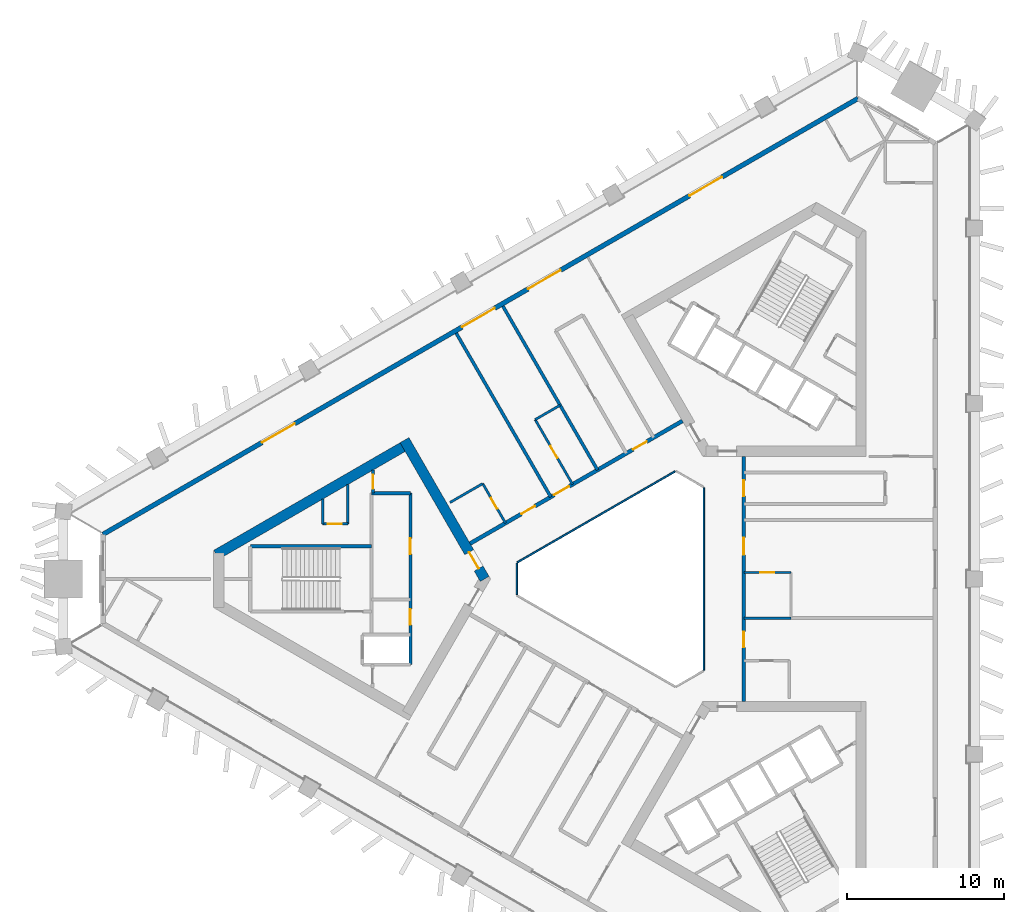
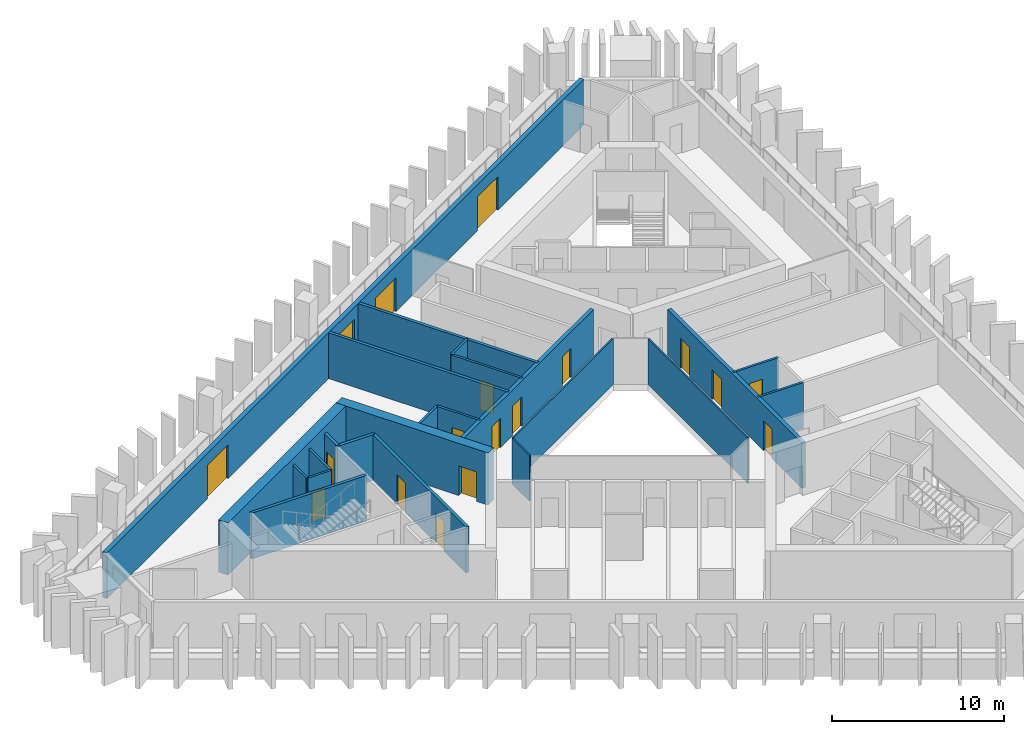
# One storey, part 4 of 10: 23 walls, 18 doors, 18 openings.
"""IFC4 building model written with IfcOpenShell, lengths in metres."""

from ifc_helpers import new_model, si_unit, direction, frame, frame_2d, origin, place, context, subcontext, project, spatial, rectangle, extrude, material, layer, layer_set, type_object, element, fill, save


model = new_model("IFC4")

# Units and contexts
model_context = context("Model", 3, precision=1e-05, world=origin(), true_north=direction((0.0, 1.0)))
body_context = subcontext(model_context, "Body", "Model", "MODEL_VIEW")
ifc_project = project(units=[si_unit("LENGTHUNIT", "METRE"), si_unit("AREAUNIT", "SQUARE_METRE"), si_unit("VOLUMEUNIT", "CUBIC_METRE"), si_unit("PLANEANGLEUNIT", "RADIAN"), si_unit("MASSUNIT", "GRAM", prefix="KILO")], contexts=[model_context])

# Site, building, storey
site_placement = place(None, origin())
site = spatial("IfcSite", under=ifc_project, at=site_placement, CompositionType="ELEMENT")
building_placement = place(site_placement, origin())
building = spatial("IfcBuilding", under=site, at=building_placement, Name="Jabali Bay Hotel Tower and Convention Centre", CompositionType="ELEMENT")
storey_placement = place(building_placement, frame((0.0, 0.0, 140.10009765625)))
storey = spatial("IfcBuildingStorey", under=building, at=storey_placement, Name="L34", CompositionType="ELEMENT", Elevation=140.10009765625)

# Walls
ifc_material_1 = material(Name="Fire-resistant glazing", Category="glass")
ifc_layer_1 = layer(ifc_material_1, 0.10009765625)
ifc_layer_set_1 = layer_set([ifc_layer_1], Name="Fire-resistant glazing")
wall_type_1 = type_object("IfcWallType", Name="Atrium glazed screen 100", PredefinedType="PARTITIONING", material=ifc_layer_set_1)
for number, where, z_axis, x_axis, name in (
    (1, (79.56005859375, 74.205810546875, 0.0), (0.0, 0.0, 1.0), (0.0, 1.0, 0.0), "Atrium screen 1 L34"),
    (2, (77.738037109375, 86.84619140625, 0.0), (0.0, 0.0, 1.0), (-0.866026658274, -0.499997827154, 0.0), "Atrium screen 3 L34"),
):
    element("IfcWall", number, at=place(storey_placement, frame(where, z_axis=z_axis, x_axis=x_axis)), inside=storey, type_object=wall_type_1, Name=name, PredefinedType="PARTITIONING", context=body_context, shape_type="SweptSolid", body=[
        extrude(rectangle(XDim=11.58837890625, YDim=0.10009765625, at=frame_2d((5.794189453125, 0.0))), origin(), (0.0, 0.0, 1.0), 3.25),
    ])
wall_1_placement = place(storey_placement, frame((67.672119140625, 81.0, 0.0), z_axis=(0.0, 0.0, 1.0), x_axis=(0.0, -1.0, 0.0)))
element("IfcWall", 3, at=wall_1_placement, inside=storey, type_object=wall_type_1, Name="Atrium screen 4 L34", PredefinedType="PARTITIONING", context=body_context, shape_type="SweptSolid", body=[
    extrude(rectangle(XDim=2.0, YDim=0.10009765625, at=frame_2d((1.0, 0.0))), origin(), (0.0, 0.0, 1.0), 3.25),
])

# Wall, opening, door
ifc_material_2 = material(Name="Concrete C40", Category="concrete")
ifc_layer_2 = layer(ifc_material_2, 0.199951171875)
ifc_layer_set_2 = layer_set([ifc_layer_2], Name="Concrete C40")
wall_type_2 = type_object("IfcWallType", Name="Core partition wall 200", PredefinedType="PARTITIONING", material=ifc_layer_set_2)
wall_2_placement = place(storey_placement, frame((58.52001953125, 86.916748046875, 0.0), z_axis=(0.0, 0.0, 1.0), x_axis=(0.0, -1.0, 0.0)))
wall_2 = element("IfcWall", 4, at=wall_2_placement, inside=storey, type_object=wall_type_2, Name="Core wall 0.9 L34", PredefinedType="PARTITIONING", context=body_context, shape_type="SweptSolid", body=[
    extrude(rectangle(XDim=1.466796875, YDim=0.199951171875, at=frame_2d((0.7333984375, 0.0))), origin(), (0.0, 0.0, 1.0), 3.25),
])
opening_1_placement = place(wall_2_placement, frame((0.283447265625, 0.0, 0.0)))
opening_1 = element("IfcOpeningElement", 5, at=opening_1_placement, cuts=wall_2, Name="Opening D747", PredefinedType="OPENING", context=body_context, shape_type="SweptSolid", body=[
    extrude(rectangle(XDim=0.89990234375, YDim=2.10009765625, at=frame_2d((0.449951171875, 1.050048828125))), frame((0.0, 0.1103515625, 0.0), z_axis=(0.0, -1.0, 0.0), x_axis=(1.0, 0.0, 0.0)), (0.0, 0.0, 1.0), 0.220947265625),
])
ifc_material_3 = material(Name="Fire-rated steel door", Category="steel")
door_type_1 = type_object("IfcDoorType", Name="Vestibule fire door 900 x 2100", OperationType="NOTDEFINED", PredefinedType="NOTDEFINED", material=ifc_material_3)
door_1_placement = place(opening_1_placement, origin())
door_1 = element("IfcDoor", 6, at=door_1_placement, inside=storey, type_object=door_type_1, Name="Vestibule fire door D747", OperationType="SINGLE_SWING_LEFT", OverallHeight=2.10009765625, OverallWidth=0.89990234375, PredefinedType="NOTDEFINED", context=body_context, shape_type="SweptSolid", body=[
    extrude(rectangle(XDim=0.89990234375, YDim=2.10009765625, at=frame_2d((0.449951171875, 1.050048828125))), frame((0.0, 0.02490234375, 0.0), z_axis=(0.0, -1.0, 0.0), x_axis=(1.0, 0.0, 0.0)), (0.0, 0.0, 1.0), 0.050048828125),
])
fill(opening_1, door_1)

ifc_material_4 = material(Name="Fire-rated board partition")
ifc_layer_3 = layer(ifc_material_4, 0.14990234375)
ifc_layer_set_3 = layer_set([ifc_layer_3], Name="Fire-rated board partition")
wall_type_3 = type_object("IfcWallType", Name="Core room partition 150", PredefinedType="PARTITIONING", material=ifc_layer_set_3)
wall_3_placement = place(storey_placement, frame((56.919921875, 83.5, 0.0), z_axis=(0.0, 0.0, 1.0), x_axis=(-1.0, 0.0, 0.0)))
wall_3 = element("IfcWall", 7, at=wall_3_placement, inside=storey, type_object=wall_type_3, Name="Core wall 0.1 L34", PredefinedType="PARTITIONING", context=body_context, shape_type="SweptSolid", body=[
    extrude(rectangle(XDim=1.599853515625, YDim=0.14990234375, at=frame_2d((0.7998046875, 0.0))), origin(), (0.0, 0.0, 1.0), 3.25),
])
opening_2_placement = place(wall_3_placement, frame((0.387451171875, 0.0, 0.0)))
opening_2 = element("IfcOpeningElement", 8, at=opening_2_placement, cuts=wall_3, Name="Opening D749", PredefinedType="OPENING", context=body_context, shape_type="SweptSolid", body=[
    extrude(rectangle(XDim=0.89990234375, YDim=2.10009765625, at=frame_2d((0.449951171875, 1.050048828125))), frame((0.0, 0.08544921875, 0.0), z_axis=(0.0, -1.0, 0.0), x_axis=(1.0, 0.0, 0.0)), (0.0, 0.0, 1.0), 0.1708984375),
])
door_type_2 = type_object("IfcDoorType", Name="Core room door 900 x 2100", OperationType="NOTDEFINED", PredefinedType="NOTDEFINED", material=ifc_material_3)
door_2_placement = place(opening_2_placement, origin())
door_2 = element("IfcDoor", 9, at=door_2_placement, inside=storey, type_object=door_type_2, Name="Core room door D749", OperationType="SINGLE_SWING_LEFT", OverallHeight=2.10009765625, OverallWidth=0.89990234375, PredefinedType="NOTDEFINED", context=body_context, shape_type="SweptSolid", body=[
    extrude(rectangle(XDim=0.89990234375, YDim=2.10009765625, at=frame_2d((0.449951171875, 1.050048828125))), frame((0.0, 0.02490234375, 0.0), z_axis=(0.0, -1.0, 0.0), x_axis=(1.0, 0.0, 0.0)), (0.0, 0.0, 1.0), 0.050048828125),
])
fill(opening_2, door_2)

# Walls
wall_4_placement = place(storey_placement, frame((56.919921875, 85.992919921875, 0.0), z_axis=(0.0, 0.0, 1.0), x_axis=(0.0, -1.0, 0.0)))
element("IfcWall", 10, at=wall_4_placement, inside=storey, type_object=wall_type_3, Name="Core wall 0.13 L34", PredefinedType="PARTITIONING", context=body_context, shape_type="SweptSolid", body=[
    extrude(rectangle(XDim=2.492919921875, YDim=0.14990234375, at=frame_2d((1.24658203125, 0.0))), origin(), (0.0, 0.0, 1.0), 3.25),
])
wall_5_placement = place(storey_placement, frame((55.320068359375, 85.069091796875, 0.0), z_axis=(0.0, 0.0, 1.0), x_axis=(0.0, -1.0, 0.0)))
element("IfcWall", 11, at=wall_5_placement, inside=storey, type_object=wall_type_3, Name="Core wall 0.14 L34", PredefinedType="PARTITIONING", context=body_context, shape_type="SweptSolid", body=[
    extrude(rectangle(XDim=1.569091796875, YDim=0.14990234375, at=frame_2d((0.78466796875, 0.0))), origin(), (0.0, 0.0, 1.0), 3.25),
])
ifc_layer_4 = layer(ifc_material_2, 0.199951171875)
ifc_layer_set_4 = layer_set([ifc_layer_4], Name="Concrete C40")
wall_type_4 = type_object("IfcWallType", Name="Core stair wall 200", PredefinedType="SOLIDWALL", material=ifc_layer_set_4)
wall_6_placement = place(storey_placement, frame((60.89990234375, 85.449951171875, 0.0), z_axis=(0.0, 0.0, 1.0), x_axis=(-1.0, 0.0, 0.0)))
element("IfcWall", 12, at=wall_6_placement, inside=storey, type_object=wall_type_4, Name="Core wall 0.0 L34", PredefinedType="SOLIDWALL", context=body_context, shape_type="SweptSolid", body=[
    extrude(rectangle(XDim=2.47998046875, YDim=0.199951171875, at=frame_2d((1.239990234375, 0.0))), origin(), (0.0, 0.0, 1.0), 3.25),
])
wall_7_placement = place(storey_placement, frame((58.419921875, 82.074951171875, 0.0), z_axis=(0.0, 0.0, 1.0), x_axis=(-1.0, 0.0, 0.0)))
element("IfcWall", 13, at=wall_7_placement, inside=storey, type_object=wall_type_4, Name="Core wall 0.2 L34", PredefinedType="SOLIDWALL", context=body_context, shape_type="SweptSolid", body=[
    extrude(rectangle(XDim=7.699951171875, YDim=0.199951171875, at=frame_2d((3.85009765625, 0.0))), origin(), (0.0, 0.0, 1.0), 3.25),
])

# Wall, openings, doors
wall_8_placement = place(storey_placement, frame((60.89990234375, 85.449951171875, 0.0), z_axis=(0.0, 0.0, 1.0), x_axis=(0.0, -1.0, 0.0)))
wall_8 = element("IfcWall", 14, at=wall_8_placement, inside=storey, type_object=wall_type_4, Name="Core wall 0.8 L34", PredefinedType="SOLIDWALL", context=body_context, shape_type="SweptSolid", body=[
    extrude(rectangle(XDim=10.89990234375, YDim=0.199951171875, at=frame_2d((5.449951171875, 0.0))), origin(), (0.0, 0.0, 1.0), 3.25),
])
opening_3_placement = place(wall_8_placement, frame((2.875, 0.0, 0.0)))
opening_3 = element("IfcOpeningElement", 15, at=opening_3_placement, cuts=wall_8, Name="Opening D744", PredefinedType="OPENING", context=body_context, shape_type="SweptSolid", body=[
    extrude(rectangle(XDim=1.0, YDim=2.10009765625, at=frame_2d((0.5, 1.050048828125))), frame((0.0, 0.1103515625, 0.0), z_axis=(0.0, -1.0, 0.0), x_axis=(1.0, 0.0, 0.0)), (0.0, 0.0, 1.0), 0.220947265625),
])
opening_4_placement = place(wall_8_placement, frame((7.375, 0.0, 0.0)))
opening_4 = element("IfcOpeningElement", 16, at=opening_4_placement, cuts=wall_8, Name="Opening D745", PredefinedType="OPENING", context=body_context, shape_type="SweptSolid", body=[
    extrude(rectangle(XDim=1.0, YDim=2.10009765625, at=frame_2d((0.5, 1.050048828125))), frame((0.0, 0.1103515625, 0.0), z_axis=(0.0, -1.0, 0.0), x_axis=(1.0, 0.0, 0.0)), (0.0, 0.0, 1.0), 0.220947265625),
])
door_type_3 = type_object("IfcDoorType", Name="Core room door 1000 x 2100", OperationType="NOTDEFINED", PredefinedType="NOTDEFINED", material=ifc_material_3)
door_3_placement = place(opening_3_placement, origin())
door_3 = element("IfcDoor", 17, at=door_3_placement, inside=storey, type_object=door_type_3, Name="Core room door D744", OperationType="SINGLE_SWING_RIGHT", OverallHeight=2.10009765625, OverallWidth=1.0, PredefinedType="NOTDEFINED", context=body_context, shape_type="SweptSolid", body=[
    extrude(rectangle(XDim=1.0, YDim=2.10009765625, at=frame_2d((0.5, 1.050048828125))), frame((0.0, 0.02490234375, 0.0), z_axis=(0.0, -1.0, 0.0), x_axis=(1.0, 0.0, 0.0)), (0.0, 0.0, 1.0), 0.050048828125),
])
fill(opening_3, door_3)
door_4_placement = place(opening_4_placement, origin())
door_4 = element("IfcDoor", 18, at=door_4_placement, inside=storey, type_object=door_type_3, Name="Core room door D745", OperationType="SINGLE_SWING_RIGHT", OverallHeight=2.10009765625, OverallWidth=1.0, PredefinedType="NOTDEFINED", context=body_context, shape_type="SweptSolid", body=[
    extrude(rectangle(XDim=1.0, YDim=2.10009765625, at=frame_2d((0.5, 1.050048828125))), frame((0.0, 0.02490234375, 0.0), z_axis=(0.0, -1.0, 0.0), x_axis=(1.0, 0.0, 0.0)), (0.0, 0.0, 1.0), 0.050048828125),
])
fill(opening_4, door_4)

# Wall, opening, door
ifc_material_5 = material(Name="Concrete C60", Category="concrete")
ifc_layer_5 = layer(ifc_material_5, 0.64990234375)
ifc_layer_set_5 = layer_set([ifc_layer_5], Name="Concrete C60")
wall_type_5 = type_object("IfcWallType", Name="Core wall 650", PredefinedType="SHEAR", material=ifc_layer_set_5)
wall_9_placement = place(storey_placement, frame((65.624755859375, 80.0, 0.0), z_axis=(0.0, 0.0, 1.0), x_axis=(-0.49999822179, 0.866026430432, 0.0)))
wall_9 = element("IfcWall", 19, at=wall_9_placement, inside=storey, type_object=wall_type_5, Name="Core wall 1.1 L34", PredefinedType="SHEAR", context=body_context, shape_type="SweptSolid", body=[
    extrude(rectangle(XDim=10.1923828125, YDim=0.64990234375, at=frame_2d((5.09619140625, 0.0))), origin(), (0.0, 0.0, 1.0), 3.699951171875),
])
opening_5_placement = place(wall_9_placement, frame((0.762451171875, 0.0, 0.0)))
opening_5 = element("IfcOpeningElement", 20, at=opening_5_placement, cuts=wall_9, Name="Opening D742", PredefinedType="OPENING", context=body_context, shape_type="SweptSolid", body=[
    extrude(rectangle(XDim=1.199951171875, YDim=2.10009765625, at=frame_2d((0.60009765625, 1.050048828125))), frame((0.0, 0.33544921875, 0.0), z_axis=(0.0, -1.0, 0.0), x_axis=(1.0, 0.0, 0.0)), (0.0, 0.0, 1.0), 0.6708984375),
])
door_type_4 = type_object("IfcDoorType", Name="Corridor end fire door 1200 x 2100", OperationType="NOTDEFINED", PredefinedType="NOTDEFINED", material=ifc_material_3)
door_5_placement = place(opening_5_placement, origin())
door_5 = element("IfcDoor", 21, at=door_5_placement, inside=storey, type_object=door_type_4, Name="Corridor end fire door D742", OperationType="SINGLE_SWING_RIGHT", OverallHeight=2.10009765625, OverallWidth=1.199951171875, PredefinedType="NOTDEFINED", context=body_context, shape_type="SweptSolid", body=[
    extrude(rectangle(XDim=1.199951171875, YDim=2.10009765625, at=frame_2d((0.60009765625, 1.050048828125))), frame((0.0, 0.02490234375, 0.0), z_axis=(0.0, -1.0, 0.0), x_axis=(1.0, 0.0, 0.0)), (0.0, 0.0, 1.0), 0.050048828125),
])
fill(opening_5, door_5)

# Wall
wall_10_placement = place(storey_placement, frame((60.691162109375, 88.54541015625, 0.0), z_axis=(0.0, 0.0, 1.0), x_axis=(-0.866030607649, -0.499990986534, 0.0)))
element("IfcWall", 22, at=wall_10_placement, inside=storey, type_object=wall_type_5, Name="Core wall 1.2 L34", PredefinedType="SHEAR", context=body_context, shape_type="SweptSolid", body=[
    extrude(rectangle(XDim=14.008544921875, YDim=0.64990234375, at=frame_2d((7.00439453125, 0.0))), origin(), (0.0, 0.0, 1.0), 3.699951171875),
])

# Wall, openings, doors
ifc_layer_6 = layer(ifc_material_5, 0.25)
ifc_layer_set_6 = layer_set([ifc_layer_6], Name="Concrete C60")
wall_type_6 = type_object("IfcWallType", Name="Corridor wall 250", PredefinedType="SHEAR", material=ifc_layer_set_6)
wall_11_placement = place(storey_placement, frame((82.10009765625, 72.205810546875, 0.0), z_axis=(0.0, 0.0, 1.0), x_axis=(0.0, 1.0, 0.0)))
wall_11 = element("IfcWall", 23, at=wall_11_placement, inside=storey, type_object=wall_type_6, Name="Corridor wall 1 L34", PredefinedType="SHEAR", context=body_context, shape_type="SweptSolid", body=[
    extrude(rectangle(XDim=15.58837890625, YDim=0.25, at=frame_2d((7.794189453125, 0.0))), origin(), (0.0, 0.0, 1.0), 3.25),
])
opening_6_placement = place(wall_11_placement, frame((3.449951171875, 0.0, 0.0)))
opening_6 = element("IfcOpeningElement", 24, at=opening_6_placement, cuts=wall_11, Name="Opening 3402", PredefinedType="OPENING", context=body_context, shape_type="SweptSolid", body=[
    extrude(rectangle(XDim=1.0, YDim=2.10009765625, at=frame_2d((0.5, 1.050048828125))), frame((0.0, 0.135498046875, 0.0), z_axis=(0.0, -1.0, 0.0), x_axis=(1.0, 0.0, 0.0)), (0.0, 0.0, 1.0), 0.27099609375),
])
opening_7_placement = place(wall_11_placement, frame((9.31787109375, 0.0, 0.0)))
opening_7 = element("IfcOpeningElement", 25, at=opening_7_placement, cuts=wall_11, Name="Opening 3404", PredefinedType="OPENING", context=body_context, shape_type="SweptSolid", body=[
    extrude(rectangle(XDim=1.10009765625, YDim=2.10009765625, at=frame_2d((0.550048828125, 1.050048828125))), frame((0.0, 0.135498046875, 0.0), z_axis=(0.0, -1.0, 0.0), x_axis=(1.0, 0.0, 0.0)), (0.0, 0.0, 1.0), 0.27099609375),
])
opening_8_placement = place(wall_11_placement, frame((13.06201171875, 0.0, 0.0)))
opening_8 = element("IfcOpeningElement", 26, at=opening_8_placement, cuts=wall_11, Name="Opening 3405", PredefinedType="OPENING", context=body_context, shape_type="SweptSolid", body=[
    extrude(rectangle(XDim=1.0, YDim=2.10009765625, at=frame_2d((0.5, 1.050048828125))), frame((0.0, 0.135498046875, 0.0), z_axis=(0.0, -1.0, 0.0), x_axis=(1.0, 0.0, 0.0)), (0.0, 0.0, 1.0), 0.27099609375),
])
ifc_material_6 = material(Name="Timber", Category="wood")
door_type_5 = type_object("IfcDoorType", Name="Accessible guest room door 1100 x 2100", OperationType="NOTDEFINED", PredefinedType="NOTDEFINED", material=ifc_material_6)
door_6_placement = place(opening_7_placement, origin())
door_6 = element("IfcDoor", 27, at=door_6_placement, inside=storey, type_object=door_type_5, Name="Door 3404", OperationType="SINGLE_SWING_RIGHT", OverallHeight=2.10009765625, OverallWidth=1.10009765625, PredefinedType="NOTDEFINED", context=body_context, shape_type="SweptSolid", body=[
    extrude(rectangle(XDim=1.10009765625, YDim=2.10009765625, at=frame_2d((0.550048828125, 1.050048828125))), frame((0.0, 0.02490234375, 0.0), z_axis=(0.0, -1.0, 0.0), x_axis=(1.0, 0.0, 0.0)), (0.0, 0.0, 1.0), 0.050048828125),
])
fill(opening_7, door_6)
door_type_6 = type_object("IfcDoorType", Name="Guest room door 1000 x 2100", OperationType="NOTDEFINED", PredefinedType="NOTDEFINED", material=ifc_material_6)
door_7_placement = place(opening_6_placement, origin())
door_7 = element("IfcDoor", 28, at=door_7_placement, inside=storey, type_object=door_type_6, Name="Door 3402", OperationType="SINGLE_SWING_LEFT", OverallHeight=2.10009765625, OverallWidth=1.0, PredefinedType="NOTDEFINED", context=body_context, shape_type="SweptSolid", body=[
    extrude(rectangle(XDim=1.0, YDim=2.10009765625, at=frame_2d((0.5, 1.050048828125))), frame((0.0, 0.02490234375, 0.0), z_axis=(0.0, -1.0, 0.0), x_axis=(1.0, 0.0, 0.0)), (0.0, 0.0, 1.0), 0.050048828125),
])
fill(opening_6, door_7)
door_8_placement = place(opening_8_placement, origin())
door_8 = element("IfcDoor", 29, at=door_8_placement, inside=storey, type_object=door_type_6, Name="Door 3405", OperationType="SINGLE_SWING_RIGHT", OverallHeight=2.10009765625, OverallWidth=1.0, PredefinedType="NOTDEFINED", context=body_context, shape_type="SweptSolid", body=[
    extrude(rectangle(XDim=1.0, YDim=2.10009765625, at=frame_2d((0.5, 1.050048828125))), frame((0.0, 0.02490234375, 0.0), z_axis=(0.0, -1.0, 0.0), x_axis=(1.0, 0.0, 0.0)), (0.0, 0.0, 1.0), 0.050048828125),
])
fill(opening_8, door_8)

wall_12_placement = place(storey_placement, frame((78.199951171875, 90.0458984375, 0.0), z_axis=(0.0, 0.0, 1.0), x_axis=(-0.866026492143, -0.499998114903, 0.0)))
wall_12 = element("IfcWall", 30, at=wall_12_placement, inside=storey, type_object=wall_type_6, Name="Corridor wall 2 L34", PredefinedType="SHEAR", context=body_context, shape_type="SweptSolid", body=[
    extrude(rectangle(XDim=15.58837890625, YDim=0.25, at=frame_2d((7.794189453125, 0.0))), origin(), (0.0, 0.0, 1.0), 3.25),
])
opening_9_placement = place(wall_12_placement, frame((2.61767578125, 0.0, 0.0)))
opening_9 = element("IfcOpeningElement", 31, at=opening_9_placement, cuts=wall_12, Name="Opening 3409", PredefinedType="OPENING", context=body_context, shape_type="SweptSolid", body=[
    extrude(rectangle(XDim=1.0, YDim=2.10009765625, at=frame_2d((0.5, 1.050048828125))), frame((0.0, 0.135498046875, 0.0), z_axis=(0.0, -1.0, 0.0), x_axis=(1.0, 0.0, 0.0)), (0.0, 0.0, 1.0), 0.27099609375),
])
opening_10_placement = place(wall_12_placement, frame((8.314697265625, 0.0, 0.0)))
opening_10 = element("IfcOpeningElement", 32, at=opening_10_placement, cuts=wall_12, Name="Opening 3414", PredefinedType="OPENING", context=body_context, shape_type="SweptSolid", body=[
    extrude(rectangle(XDim=1.10009765625, YDim=2.10009765625, at=frame_2d((0.550048828125, 1.050048828125))), frame((0.0, 0.135498046875, 0.0), z_axis=(0.0, -1.0, 0.0), x_axis=(1.0, 0.0, 0.0)), (0.0, 0.0, 1.0), 0.27099609375),
])
opening_11_placement = place(wall_12_placement, frame((10.82666015625, 0.0, 0.0)))
opening_11 = element("IfcOpeningElement", 33, at=opening_11_placement, cuts=wall_12, Name="Opening 3416", PredefinedType="OPENING", context=body_context, shape_type="SweptSolid", body=[
    extrude(rectangle(XDim=1.0, YDim=2.10009765625, at=frame_2d((0.5, 1.050048828125))), frame((0.0, 0.135498046875, 0.0), z_axis=(0.0, -1.0, 0.0), x_axis=(1.0, 0.0, 0.0)), (0.0, 0.0, 1.0), 0.27099609375),
])
door_9_placement = place(opening_10_placement, origin())
door_9 = element("IfcDoor", 34, at=door_9_placement, inside=storey, type_object=door_type_5, Name="Door 3414", OperationType="SINGLE_SWING_RIGHT", OverallHeight=2.10009765625, OverallWidth=1.10009765625, PredefinedType="NOTDEFINED", context=body_context, shape_type="SweptSolid", body=[
    extrude(rectangle(XDim=1.10009765625, YDim=2.10009765625, at=frame_2d((0.550048828125, 1.050048828125))), frame((0.0, 0.02490234375, 0.0), z_axis=(0.0, -1.0, 0.0), x_axis=(1.0, 0.0, 0.0)), (0.0, 0.0, 1.0), 0.050048828125),
])
fill(opening_10, door_9)
door_10_placement = place(opening_9_placement, origin())
door_10 = element("IfcDoor", 35, at=door_10_placement, inside=storey, type_object=door_type_6, Name="Door 3409", OperationType="SINGLE_SWING_LEFT", OverallHeight=2.10009765625, OverallWidth=1.0, PredefinedType="NOTDEFINED", context=body_context, shape_type="SweptSolid", body=[
    extrude(rectangle(XDim=1.0, YDim=2.10009765625, at=frame_2d((0.5, 1.050048828125))), frame((0.0, 0.02490234375, 0.0), z_axis=(0.0, -1.0, 0.0), x_axis=(1.0, 0.0, 0.0)), (0.0, 0.0, 1.0), 0.050048828125),
])
fill(opening_9, door_10)
door_11_placement = place(opening_11_placement, origin())
door_11 = element("IfcDoor", 36, at=door_11_placement, inside=storey, type_object=door_type_6, Name="Door 3416", OperationType="SINGLE_SWING_RIGHT", OverallHeight=2.10009765625, OverallWidth=1.0, PredefinedType="NOTDEFINED", context=body_context, shape_type="SweptSolid", body=[
    extrude(rectangle(XDim=1.0, YDim=2.10009765625, at=frame_2d((0.5, 1.050048828125))), frame((0.0, 0.02490234375, 0.0), z_axis=(0.0, -1.0, 0.0), x_axis=(1.0, 0.0, 0.0)), (0.0, 0.0, 1.0), 0.050048828125),
])
fill(opening_11, door_11)

ifc_layer_7 = layer(ifc_material_2, 0.300048828125)
ifc_layer_set_7 = layer_set([ifc_layer_7], Name="Concrete C40")
wall_type_7 = type_object("IfcWallType", Name="External wall 300", PredefinedType="SOLIDWALL", material=ifc_layer_set_7)
wall_13_placement = place(storey_placement, frame((41.357666015625, 82.8359375, 0.0), z_axis=(0.0, 0.0, 1.0), x_axis=(0.866024602029, 0.500001388679, 0.0)))
wall_13 = element("IfcWall", 37, at=wall_13_placement, inside=storey, type_object=wall_type_7, Name="External wall north-west face L34", PredefinedType="SOLIDWALL", context=body_context, shape_type="SweptSolid", body=[
    extrude(rectangle(XDim=55.434326171875, YDim=0.300048828125, at=frame_2d((27.71728515625, 0.0))), origin(), (0.0, 0.0, 1.0), 3.25),
])
opening_12_placement = place(wall_13_placement, frame((26.361328125, 0.0, 0.0)))
opening_12 = element("IfcOpeningElement", 38, at=opening_12_placement, cuts=wall_13, Name="Opening SD1", PredefinedType="OPENING", context=body_context, shape_type="SweptSolid", body=[
    extrude(rectangle(XDim=2.39990234375, YDim=2.39990234375, at=frame_2d((1.199951171875, 1.199951171875))), frame((0.0, 0.16064453125, 0.0), z_axis=(0.0, -1.0, 0.0), x_axis=(1.0, 0.0, 0.0)), (0.0, 0.0, 1.0), 0.321044921875),
])
opening_13_placement = place(wall_13_placement, frame((31.193603515625, 0.0, 0.0)))
opening_13 = element("IfcOpeningElement", 39, at=opening_13_placement, cuts=wall_13, Name="Opening SD1", PredefinedType="OPENING", context=body_context, shape_type="SweptSolid", body=[
    extrude(rectangle(XDim=2.39990234375, YDim=2.39990234375, at=frame_2d((1.199951171875, 1.199951171875))), frame((0.0, 0.16064453125, 0.0), z_axis=(0.0, -1.0, 0.0), x_axis=(1.0, 0.0, 0.0)), (0.0, 0.0, 1.0), 0.321044921875),
])
opening_14_placement = place(wall_13_placement, frame((43.055908203125, 0.0, 0.0)))
opening_14 = element("IfcOpeningElement", 40, at=opening_14_placement, cuts=wall_13, Name="Opening SD1", PredefinedType="OPENING", context=body_context, shape_type="SweptSolid", body=[
    extrude(rectangle(XDim=2.39990234375, YDim=2.39990234375, at=frame_2d((1.199951171875, 1.199951171875))), frame((0.0, 0.16064453125, 0.0), z_axis=(0.0, -1.0, 0.0), x_axis=(1.0, 0.0, 0.0)), (0.0, 0.0, 1.0), 0.321044921875),
])
opening_15_placement = place(wall_13_placement, frame((11.679931640625, 0.0, 0.0)))
opening_15 = element("IfcOpeningElement", 41, at=opening_15_placement, cuts=wall_13, Name="Opening SD1", PredefinedType="OPENING", context=body_context, shape_type="SweptSolid", body=[
    extrude(rectangle(XDim=2.39990234375, YDim=2.39990234375, at=frame_2d((1.199951171875, 1.199951171875))), frame((0.0, 0.16064453125, 0.0), z_axis=(0.0, -1.0, 0.0), x_axis=(1.0, 0.0, 0.0)), (0.0, 0.0, 1.0), 0.321044921875),
])
ifc_material_7 = material(Name="Glass", Category="glass")
door_type_7 = type_object("IfcDoorType", Name="Loggia sliding door 2400 x 2400", OperationType="NOTDEFINED", PredefinedType="NOTDEFINED", material=ifc_material_7)
door_12_placement = place(opening_12_placement, origin())
door_12 = element("IfcDoor", 42, at=door_12_placement, inside=storey, type_object=door_type_7, Name="Loggia sliding door 3407", OperationType="SLIDING_TO_LEFT", OverallHeight=2.39990234375, OverallWidth=2.39990234375, PredefinedType="NOTDEFINED", context=body_context, shape_type="SweptSolid", body=[
    extrude(rectangle(XDim=2.39990234375, YDim=2.39990234375, at=frame_2d((1.199951171875, 1.199951171875))), frame((0.0, 0.02490234375, 0.0), z_axis=(0.0, -1.0, 0.0), x_axis=(1.0, 0.0, 0.0)), (0.0, 0.0, 1.0), 0.050048828125),
])
fill(opening_12, door_12)
door_13_placement = place(opening_13_placement, origin())
door_13 = element("IfcDoor", 43, at=door_13_placement, inside=storey, type_object=door_type_7, Name="Loggia sliding door 3405", OperationType="SLIDING_TO_RIGHT", OverallHeight=2.39990234375, OverallWidth=2.39990234375, PredefinedType="NOTDEFINED", context=body_context, shape_type="SweptSolid", body=[
    extrude(rectangle(XDim=2.39990234375, YDim=2.39990234375, at=frame_2d((1.199951171875, 1.199951171875))), frame((0.0, 0.02490234375, 0.0), z_axis=(0.0, -1.0, 0.0), x_axis=(1.0, 0.0, 0.0)), (0.0, 0.0, 1.0), 0.050048828125),
])
fill(opening_13, door_13)
door_14_placement = place(opening_14_placement, origin())
door_14 = element("IfcDoor", 44, at=door_14_placement, inside=storey, type_object=door_type_7, Name="Loggia sliding door 3405", OperationType="SLIDING_TO_LEFT", OverallHeight=2.39990234375, OverallWidth=2.39990234375, PredefinedType="NOTDEFINED", context=body_context, shape_type="SweptSolid", body=[
    extrude(rectangle(XDim=2.39990234375, YDim=2.39990234375, at=frame_2d((1.199951171875, 1.199951171875))), frame((0.0, 0.02490234375, 0.0), z_axis=(0.0, -1.0, 0.0), x_axis=(1.0, 0.0, 0.0)), (0.0, 0.0, 1.0), 0.050048828125),
])
fill(opening_14, door_14)
door_15_placement = place(opening_15_placement, origin())
door_15 = element("IfcDoor", 45, at=door_15_placement, inside=storey, type_object=door_type_7, Name="Loggia sliding door 3408", OperationType="SLIDING_TO_RIGHT", OverallHeight=2.39990234375, OverallWidth=2.39990234375, PredefinedType="NOTDEFINED", context=body_context, shape_type="SweptSolid", body=[
    extrude(rectangle(XDim=2.39990234375, YDim=2.39990234375, at=frame_2d((1.199951171875, 1.199951171875))), frame((0.0, 0.02490234375, 0.0), z_axis=(0.0, -1.0, 0.0), x_axis=(1.0, 0.0, 0.0)), (0.0, 0.0, 1.0), 0.050048828125),
])
fill(opening_15, door_15)

# Wall
ifc_material_8 = material(Name="Plasterboard on steel stud", Category="steel")
ifc_layer_8 = layer(ifc_material_8, 0.14990234375)
ifc_layer_set_8 = layer_set([ifc_layer_8], Name="Plasterboard on steel stud")
wall_type_8 = type_object("IfcWallType", Name="Partition 150 wet", PredefinedType="PARTITIONING", material=ifc_layer_set_8)
wall_14_placement = place(storey_placement, frame((85.10009765625, 77.505859375, 0.0), z_axis=(0.0, 0.0, 1.0), x_axis=(-1.0, 0.0, 0.0)))
element("IfcWall", 46, at=wall_14_placement, inside=storey, type_object=wall_type_8, Name="Partition P03 L34 004", PredefinedType="PARTITIONING", context=body_context, shape_type="SweptSolid", body=[
    extrude(rectangle(XDim=3.0, YDim=0.14990234375, at=frame_2d((1.5, 0.0))), origin(), (0.0, 0.0, 1.0), 3.25),
])

# Wall, opening, door
wall_15_placement = place(storey_placement, frame((82.10009765625, 80.40576171875, 0.0), z_axis=(0.0, 0.0, 1.0), x_axis=(1.0, 0.0, 0.0)))
wall_15 = element("IfcWall", 47, at=wall_15_placement, inside=storey, type_object=wall_type_8, Name="Partition P03 L34 006", PredefinedType="PARTITIONING", context=body_context, shape_type="SweptSolid", body=[
    extrude(rectangle(XDim=3.0, YDim=0.14990234375, at=frame_2d((1.5, 0.0))), origin(), (0.0, 0.0, 1.0), 3.25),
])
opening_16_placement = place(wall_15_placement, frame((1.050048828125, 0.0, 0.0)))
opening_16 = element("IfcOpeningElement", 48, at=opening_16_placement, cuts=wall_15, Name="Opening 3403", PredefinedType="OPENING", context=body_context, shape_type="SweptSolid", body=[
    extrude(rectangle(XDim=0.89990234375, YDim=2.10009765625, at=frame_2d((0.449951171875, 1.050048828125))), frame((0.0, 0.08544921875, 0.0), z_axis=(0.0, -1.0, 0.0), x_axis=(1.0, 0.0, 0.0)), (0.0, 0.0, 1.0), 0.1708984375),
])
door_type_8 = type_object("IfcDoorType", Name="Accessible en-suite door 900 x 2100", OperationType="NOTDEFINED", PredefinedType="NOTDEFINED", material=ifc_material_6)
door_16_placement = place(opening_16_placement, origin())
door_16 = element("IfcDoor", 49, at=door_16_placement, inside=storey, type_object=door_type_8, Name="Door 3403", OperationType="SINGLE_SWING_LEFT", OverallHeight=2.10009765625, OverallWidth=0.89990234375, PredefinedType="NOTDEFINED", context=body_context, shape_type="SweptSolid", body=[
    extrude(rectangle(XDim=0.89990234375, YDim=2.10009765625, at=frame_2d((0.449951171875, 1.050048828125))), frame((0.0, 0.02490234375, 0.0), z_axis=(0.0, -1.0, 0.0), x_axis=(1.0, 0.0, 0.0)), (0.0, 0.0, 1.0), 0.050048828125),
])
fill(opening_16, door_16)

wall_16_placement = place(storey_placement, frame((71.215576171875, 86.013427734375, 0.0), z_axis=(0.0, 0.0, 1.0), x_axis=(-0.499987613552, 0.866032554986, 0.0)))
wall_16 = element("IfcWall", 50, at=wall_16_placement, inside=storey, type_object=wall_type_8, Name="Partition P03 L34 025", PredefinedType="PARTITIONING", context=body_context, shape_type="SweptSolid", body=[
    extrude(rectangle(XDim=4.75537109375, YDim=0.14990234375, at=frame_2d((2.377685546875, 0.0))), origin(), (0.0, 0.0, 1.0), 3.25),
])
opening_17_placement = place(wall_16_placement, frame((1.927978515625, 0.0, 0.0)))
opening_17 = element("IfcOpeningElement", 51, at=opening_17_placement, cuts=wall_16, Name="Opening 3413", PredefinedType="OPENING", context=body_context, shape_type="SweptSolid", body=[
    extrude(rectangle(XDim=0.89990234375, YDim=2.10009765625, at=frame_2d((0.449951171875, 1.050048828125))), frame((0.0, 0.08544921875, 0.0), z_axis=(0.0, -1.0, 0.0), x_axis=(1.0, 0.0, 0.0)), (0.0, 0.0, 1.0), 0.1708984375),
])
door_17_placement = place(opening_17_placement, origin())
door_17 = element("IfcDoor", 52, at=door_17_placement, inside=storey, type_object=door_type_8, Name="Door 3413", OperationType="SINGLE_SWING_LEFT", OverallHeight=2.10009765625, OverallWidth=0.89990234375, PredefinedType="NOTDEFINED", context=body_context, shape_type="SweptSolid", body=[
    extrude(rectangle(XDim=0.89990234375, YDim=2.10009765625, at=frame_2d((0.449951171875, 1.050048828125))), frame((0.0, 0.02490234375, 0.0), z_axis=(0.0, -1.0, 0.0), x_axis=(1.0, 0.0, 0.0)), (0.0, 0.0, 1.0), 0.050048828125),
])
fill(opening_17, door_17)

# Walls
wall_17_placement = place(storey_placement, frame((68.837890625, 90.1318359375, 0.0), z_axis=(0.0, 0.0, 1.0), x_axis=(0.866025591402, 0.499999675036, 0.0)))
element("IfcWall", 53, at=wall_17_placement, inside=storey, type_object=wall_type_8, Name="Partition P03 L34 026", PredefinedType="PARTITIONING", context=body_context, shape_type="SweptSolid", body=[
    extrude(rectangle(XDim=1.82958984375, YDim=0.14990234375, at=frame_2d((0.914794921875, 0.0))), origin(), (0.0, 0.0, 1.0), 3.25),
])
wall_18_placement = place(storey_placement, frame((63.42236328125, 84.862548828125, 0.0), z_axis=(0.0, 0.0, 1.0), x_axis=(0.865994240961, 0.500053971709, 0.0)))
element("IfcWall", 54, at=wall_18_placement, inside=storey, type_object=wall_type_8, Name="Partition P03 L34 028", PredefinedType="PARTITIONING", context=body_context, shape_type="SweptSolid", body=[
    extrude(rectangle(XDim=2.401123046875, YDim=0.14990234375, at=frame_2d((1.20068359375, 0.0))), origin(), (0.0, 0.0, 1.0), 3.25),
])

# Wall, opening, door
wall_19_placement = place(storey_placement, frame((65.501708984375, 86.063232421875, 0.0), z_axis=(0.0, 0.0, 1.0), x_axis=(0.499987231761, -0.866032775405, 0.0)))
wall_19 = element("IfcWall", 55, at=wall_19_placement, inside=storey, type_object=wall_type_8, Name="Partition P03 L34 029", PredefinedType="PARTITIONING", context=body_context, shape_type="SweptSolid", body=[
    extrude(rectangle(XDim=2.89990234375, YDim=0.14990234375, at=frame_2d((1.449951171875, 0.0))), origin(), (0.0, 0.0, 1.0), 3.25),
])
opening_18_placement = place(wall_19_placement, frame((1.050048828125, 0.0, 0.0)))
opening_18 = element("IfcOpeningElement", 56, at=opening_18_placement, cuts=wall_19, Name="Opening 3415", PredefinedType="OPENING", context=body_context, shape_type="SweptSolid", body=[
    extrude(rectangle(XDim=0.800048828125, YDim=2.10009765625, at=frame_2d((0.39990234375, 1.050048828125))), frame((0.0, 0.08544921875, 0.0), z_axis=(0.0, -1.0, 0.0), x_axis=(1.0, 0.0, 0.0)), (0.0, 0.0, 1.0), 0.1708984375),
])
door_type_9 = type_object("IfcDoorType", Name="En-suite door 800 x 2100", OperationType="NOTDEFINED", PredefinedType="NOTDEFINED", material=ifc_material_6)
door_18_placement = place(opening_18_placement, origin())
door_18 = element("IfcDoor", 57, at=door_18_placement, inside=storey, type_object=door_type_9, Name="Door 3415", OperationType="SINGLE_SWING_RIGHT", OverallHeight=2.10009765625, OverallWidth=0.800048828125, PredefinedType="NOTDEFINED", context=body_context, shape_type="SweptSolid", body=[
    extrude(rectangle(XDim=0.800048828125, YDim=2.10009765625, at=frame_2d((0.39990234375, 1.050048828125))), frame((0.0, 0.02490234375, 0.0), z_axis=(0.0, -1.0, 0.0), x_axis=(1.0, 0.0, 0.0)), (0.0, 0.0, 1.0), 0.050048828125),
])
fill(opening_18, door_18)

# Walls
ifc_layer_9 = layer(ifc_material_8, 0.199951171875)
ifc_layer_set_9 = layer_set([ifc_layer_9], Name="Plasterboard on steel stud")
wall_type_9 = type_object("IfcWallType", Name="Partition 200 party", PredefinedType="PARTITIONING", material=ifc_layer_set_9)
for number, where, z_axis, x_axis, name in (
    (58, (66.785888671875, 97.344970703125, 0.0), (0.0, 0.0, 1.0), (0.500002984678, -0.866023680573, 0.0), "Partition P01 L34 021"),
    (59, (63.81591796875, 95.630126953125, 0.0), (0.0, 0.0, 1.0), (0.500002984678, -0.866023680573, 0.0), "Partition P01 L34 027"),
):
    element("IfcWall", number, at=place(storey_placement, frame(where, z_axis=z_axis, x_axis=x_axis)), inside=storey, type_object=wall_type_9, Name=name, PredefinedType="PARTITIONING", context=body_context, shape_type="SweptSolid", body=[
        extrude(rectangle(XDim=12.0283203125, YDim=0.199951171875, at=frame_2d((6.01416015625, 0.0))), origin(), (0.0, 0.0, 1.0), 3.25),
    ])

save(model, "model.ifc")
